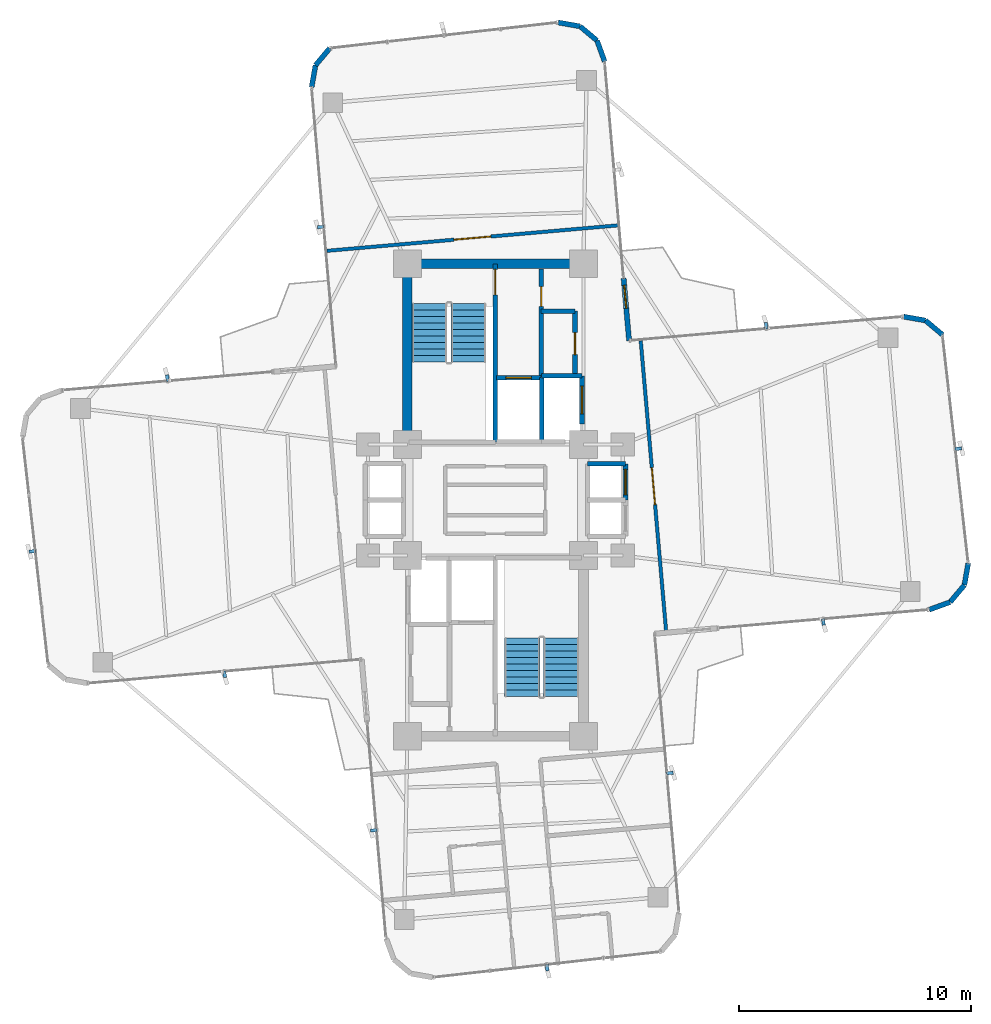
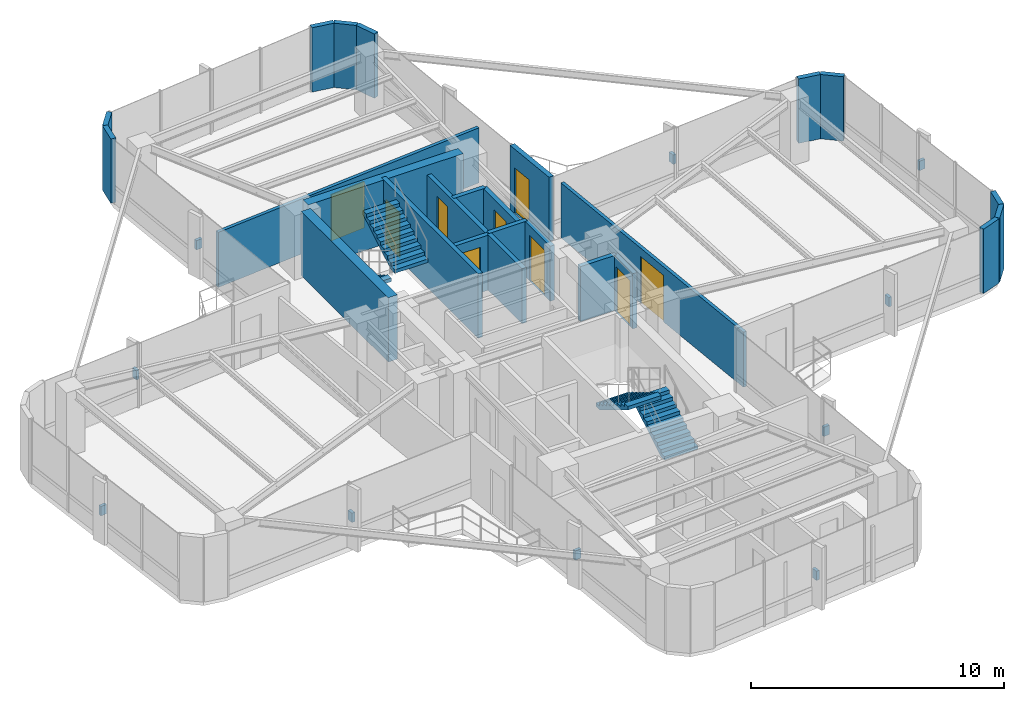
# One storey, part 22 of 24: 25 walls, 10 discrete accessories, 9 doors, 4 stair flights, 9 openings, 2 elements without a shape of their own.
"""IFC4 building model written with IfcOpenShell, lengths in metres."""

from ifc_helpers import new_model, si_unit, direction, frame, frame_2d, origin, origin_2d, place, context, subcontext, project, spatial, polyline, rectangle, outline, extrude, source, transform, mapped, material, layer, layer_set, type_object, element, fill, aggregate, save


model = new_model("IFC4")

# Units and contexts
model_context = context("Model", 3, precision=1e-05, world=origin(), true_north=direction((0.0, 1.0)))
body_context = subcontext(model_context, "Body", "Model", "MODEL_VIEW")
ifc_project = project(units=[si_unit("LENGTHUNIT", "METRE"), si_unit("AREAUNIT", "SQUARE_METRE"), si_unit("VOLUMEUNIT", "CUBIC_METRE"), si_unit("PLANEANGLEUNIT", "RADIAN"), si_unit("MASSUNIT", "GRAM", prefix="KILO")], contexts=[model_context])

# Site, building, storey
site_placement = place(None, origin())
site = spatial("IfcSite", under=ifc_project, at=site_placement, CompositionType="ELEMENT")
building_placement = place(site_placement, origin())
building = spatial("IfcBuilding", under=site, at=building_placement, Name="Sahyath Konkavel Grand Hotel", CompositionType="ELEMENT")
storey_placement = place(building_placement, frame((0.0, 0.0, 160.64990234375)))
storey = spatial("IfcBuildingStorey", under=building, at=storey_placement, Name="L44", CompositionType="ELEMENT", Elevation=160.64990234375)

# Walls
ifc_material_1 = material(Name="Concrete C50/60", Category="concrete")
ifc_layer_1 = layer(ifc_material_1, 0.419921875)
ifc_layer_set_1 = layer_set([ifc_layer_1], Name="Concrete C50/60")
wall_type_1 = type_object("IfcWallType", Name="CWALL-420", PredefinedType="SHEAR", material=ifc_layer_set_1)
wall_1_placement = place(storey_placement, frame((-3.550048828125, 10.199951171875, 0.0), z_axis=(0.0, 0.0, 1.0), x_axis=(1.0, 0.0, 0.0)))
element("IfcWall", 1, at=wall_1_placement, inside=storey, type_object=wall_type_1, Name="L44 North Core Shear Wall N", PredefinedType="SHEAR", context=body_context, shape_type="SweptSolid", body=[
    extrude(rectangle(XDim=7.10009765625, YDim=0.419921875, at=frame_2d((3.550048828125, 0.0))), origin(), (0.0, 0.0, 1.0), 3.110107421875),
])
wall_2_placement = place(storey_placement, frame((-3.800048828125, 2.85009765625, 0.0), z_axis=(0.0, 0.0, 1.0), x_axis=(0.0, 1.0, 0.0)))
element("IfcWall", 2, at=wall_2_placement, inside=storey, type_object=wall_type_1, Name="L44 North Core Shear Wall W", PredefinedType="SHEAR", context=body_context, shape_type="SweptSolid", body=[
    extrude(rectangle(XDim=6.89990234375, YDim=0.419921875, at=frame_2d((3.449951171875, 0.0))), origin(), (0.0, 0.0, 1.0), 3.110107421875),
])
ifc_material_2 = material(Name="Warm Buff Sandstone Insulated Concrete C40/50", Category="masonry")
ifc_layer_2 = layer(ifc_material_2, 0.219970703125)
ifc_layer_set_2 = layer_set([ifc_layer_2], Name="Warm Buff Sandstone Insulated Concrete C40/50")
wall_type_2 = type_object("IfcWallType", Name="WLL-BALC-THRESH", PredefinedType="STANDARD", material=ifc_layer_set_2)
wall_3_placement = place(storey_placement, frame((18.73388671875, -4.735107421875, 0.0), z_axis=(0.0, 0.0, 1.0), x_axis=(0.939741306239, 0.34188635151, 0.0)))
element("IfcWall", 3, at=wall_3_placement, inside=storey, type_object=wall_type_2, Name="L44 Rounded Corner Sandstone Pier 1", PredefinedType="STANDARD", context=body_context, shape_type="SweptSolid", body=[
    extrude(rectangle(XDim=0.95751953125, YDim=0.219970703125, at=frame_2d((0.478759765625, 0.0))), origin(), (0.0, 0.0, 1.0), 3.110107421875),
])
for number, where, z_axis, x_axis, name in (
    (4, (19.6337890625, -4.40771484375, 0.0), (0.0, 0.0, 1.0), (0.642863236823, 0.765980978054, 0.0), "L44 Rounded Corner Sandstone Pier 2"),
    (5, (20.24951171875, -3.674072265625, 0.0), (0.0, 0.0, 1.0), (0.173610811841, 0.984814340885, 0.0), "L44 Rounded Corner Sandstone Pier 3"),
):
    element("IfcWall", number, at=place(storey_placement, frame(where, z_axis=z_axis, x_axis=x_axis)), inside=storey, type_object=wall_type_2, Name=name, PredefinedType="STANDARD", context=body_context, shape_type="SweptSolid", body=[
        extrude(rectangle(XDim=0.957763671875, YDim=0.219970703125, at=frame_2d((0.47900390625, 0.0))), origin(), (0.0, 0.0, 1.0), 3.110107421875),
    ])
wall_4_placement = place(storey_placement, frame((19.3037109375, 7.134521484375, 0.0), z_axis=(0.0, 0.0, 1.0), x_axis=(-0.766001159887, 0.642839189107, 0.0)))
element("IfcWall", 6, at=wall_4_placement, inside=storey, type_object=wall_type_2, Name="L44 Rounded Corner Sandstone Pier 5", PredefinedType="STANDARD", context=body_context, shape_type="SweptSolid", body=[
    extrude(rectangle(XDim=0.95751953125, YDim=0.219970703125, at=frame_2d((0.478759765625, 0.0))), origin(), (0.0, 0.0, 1.0), 3.110107421875),
])
wall_5_placement = place(storey_placement, frame((18.5703125, 7.75, 0.0), z_axis=(0.0, 0.0, 1.0), x_axis=(-0.984770724397, 0.173858046606, 0.0)))
element("IfcWall", 7, at=wall_5_placement, inside=storey, type_object=wall_type_2, Name="L44 Rounded Corner Sandstone Pier 6", PredefinedType="STANDARD", context=body_context, shape_type="SweptSolid", body=[
    extrude(rectangle(XDim=0.957763671875, YDim=0.219970703125, at=frame_2d((0.47900390625, 0.0))), origin(), (0.0, 0.0, 1.0), 3.110107421875),
])

# Wall, opening, door
wall_6_placement = place(storey_placement, frame((5.7724609375, 6.87939453125, 0.0), z_axis=(0.0, 0.0, 1.0), x_axis=(-0.087168071984, 0.996193619346, 0.0)))
wall_6 = element("IfcWall", 8, at=wall_6_placement, inside=storey, type_object=wall_type_2, Name="L44 Winter-Garden Threshold Wall 8", PredefinedType="STANDARD", context=body_context, shape_type="SweptSolid", body=[
    extrude(rectangle(XDim=2.699951171875, YDim=0.219970703125, at=frame_2d((1.35009765625, 0.0))), origin(), (0.0, 0.0, 1.0), 3.110107421875),
])
opening_1_placement = place(wall_6_placement, frame((1.39990234375, 0.0, 0.0)))
opening_1 = element("IfcOpeningElement", 9, at=opening_1_placement, cuts=wall_6, Name="Opening D-TR1", PredefinedType="OPENING", context=body_context, shape_type="SweptSolid", body=[
    extrude(rectangle(XDim=1.0, YDim=2.199951171875, at=frame_2d((0.5, 1.10009765625))), frame((0.0, 0.1201171875, 0.0), z_axis=(0.0, -1.0, 0.0), x_axis=(1.0, 0.0, 0.0)), (0.0, 0.0, 1.0), 0.239990234375),
])
ifc_material_3 = material(Name="Anodised Bronze Aluminium & Low-E Glazing", Category="aluminium")
door_type_1 = type_object("IfcDoorType", Name="DR-TERRACE-1000", OperationType="NOTDEFINED", PredefinedType="DOOR", material=ifc_material_3)
shared_shape_1 = source(origin(), body_context, "Body", "SweptSolid", [
    extrude(rectangle(XDim=1.0, YDim=0.050048828125, at=origin_2d()), origin(), (0.0, 0.0, 1.0), 2.199951171875),
])
door_1_placement = place(opening_1_placement, frame((0.5, 0.0, 0.0)))
door_1 = element("IfcDoor", 10, at=door_1_placement, inside=storey, type_object=door_type_1, Name="L44 Winter-Garden Terrace Door 8", OperationType="SINGLE_SWING_LEFT", OverallHeight=2.199951171875, OverallWidth=1.0, PredefinedType="DOOR", context=body_context, shape_type="MappedRepresentation", body=[
    mapped(shared_shape_1, transform((0.0, 0.0, 0.0), scale=1.0)),
])
fill(opening_1, door_1)

# Walls
wall_7_placement = place(storey_placement, frame((4.7177734375, 18.93310546875, 0.0), z_axis=(0.0, 0.0, 1.0), x_axis=(-0.34188635151, 0.939741306239, 0.0)))
element("IfcWall", 11, at=wall_7_placement, inside=storey, type_object=wall_type_2, Name="L44 Rounded Corner Sandstone Pier 9", PredefinedType="STANDARD", context=body_context, shape_type="SweptSolid", body=[
    extrude(rectangle(XDim=0.95751953125, YDim=0.219970703125, at=frame_2d((0.478759765625, 0.0))), origin(), (0.0, 0.0, 1.0), 3.110107421875),
])
for number, where, z_axis, x_axis, name in (
    (12, (4.390380859375, 19.8330078125, 0.0), (0.0, 0.0, 1.0), (-0.765980978054, 0.642863236823, 0.0), "L44 Rounded Corner Sandstone Pier 10"),
    (13, (3.65673828125, 20.44873046875, 0.0), (0.0, 0.0, 1.0), (-0.984814340885, 0.173610811841, 0.0), "L44 Rounded Corner Sandstone Pier 11"),
):
    element("IfcWall", number, at=place(storey_placement, frame(where, z_axis=z_axis, x_axis=x_axis)), inside=storey, type_object=wall_type_2, Name=name, PredefinedType="STANDARD", context=body_context, shape_type="SweptSolid", body=[
        extrude(rectangle(XDim=0.957763671875, YDim=0.219970703125, at=frame_2d((0.47900390625, 0.0))), origin(), (0.0, 0.0, 1.0), 3.110107421875),
    ])
for number, where, z_axis, x_axis, name in (
    (14, (-7.152099609375, 19.5029296875, 0.0), (0.0, 0.0, 1.0), (-0.642713642115, -0.766106503196, 0.0), "L44 Rounded Corner Sandstone Pier 13"),
    (15, (-7.767578125, 18.769287109375, 0.0), (0.0, 0.0, 1.0), (-0.173654409999, -0.984806654064, 0.0), "L44 Rounded Corner Sandstone Pier 14"),
):
    element("IfcWall", number, at=place(storey_placement, frame(where, z_axis=z_axis, x_axis=x_axis)), inside=storey, type_object=wall_type_2, Name=name, PredefinedType="STANDARD", context=body_context, shape_type="SweptSolid", body=[
        extrude(rectangle(XDim=0.95751953125, YDim=0.219970703125, at=frame_2d((0.478759765625, 0.0))), origin(), (0.0, 0.0, 1.0), 3.110107421875),
    ])

# Wall, opening, door
ifc_material_4 = material(Name="Concrete C40/50", Category="concrete")
ifc_layer_3 = layer(ifc_material_4, 0.199951171875)
ifc_layer_set_3 = layer_set([ifc_layer_3], Name="Concrete C40/50")
wall_type_3 = type_object("IfcWallType", Name="WLL-CORE-200", PredefinedType="SOLIDWALL", material=ifc_layer_set_3)
wall_8_placement = place(storey_placement, frame((0.0, 2.5, 0.0), z_axis=(0.0, 0.0, 1.0), x_axis=(0.0, 1.0, 0.0)))
wall_8 = element("IfcWall", 16, at=wall_8_placement, inside=storey, type_object=wall_type_3, Name="L44 Stair ST-1 Shaft Wall E", PredefinedType="SOLIDWALL", context=body_context, shape_type="SweptSolid", body=[
    extrude(rectangle(XDim=7.679931640625, YDim=0.199951171875, at=frame_2d((3.83984375, 0.0))), origin(), (0.0, 0.0, 1.0), 3.110107421875),
])
opening_2_placement = place(wall_8_placement, frame((6.360107421875, 0.0, 0.0)))
opening_2 = element("IfcOpeningElement", 17, at=opening_2_placement, cuts=wall_8, Name="Opening D-F12B", PredefinedType="OPENING", context=body_context, shape_type="SweptSolid", body=[
    extrude(rectangle(XDim=1.10009765625, YDim=2.14990234375, at=frame_2d((0.550048828125, 1.074951171875))), frame((0.0, 0.10986328125, 0.0), z_axis=(0.0, -1.0, 0.0), x_axis=(1.0, 0.0, 0.0)), (0.0, 0.0, 1.0), 0.219970703125),
])
ifc_material_5 = material(Name="Steel E350 Smokeproof Fire Door", Category="steel")
door_type_2 = type_object("IfcDoorType", Name="DR-FD120-1100", OperationType="NOTDEFINED", PredefinedType="DOOR", material=ifc_material_5)
shared_shape_2 = source(origin(), body_context, "Body", "SweptSolid", [
    extrude(rectangle(XDim=1.10009765625, YDim=0.050048828125, at=origin_2d()), origin(), (0.0, 0.0, 1.0), 2.14990234375),
])
door_2_placement = place(opening_2_placement, frame((0.550048828125, 0.0, 0.0)))
door_2 = element("IfcDoor", 18, at=door_2_placement, inside=storey, type_object=door_type_2, Name="L44 Stair ST-1 Fire Door", OperationType="SINGLE_SWING_RIGHT", OverallHeight=2.14990234375, OverallWidth=1.10009765625, PredefinedType="DOOR", context=body_context, shape_type="MappedRepresentation", body=[
    mapped(shared_shape_2, transform((0.0, 0.0, 0.0), scale=1.0)),
])
fill(opening_2, door_2)

wall_9_placement = place(storey_placement, frame((1.97998046875, 5.320068359375, 0.0), z_axis=(0.0, 0.0, 1.0), x_axis=(0.0, 1.0, 0.0)))
wall_9 = element("IfcWall", 19, at=wall_9_placement, inside=storey, type_object=wall_type_3, Name="L44 North Firefighting Lobby Wall E", PredefinedType="SOLIDWALL", context=body_context, shape_type="SweptSolid", body=[
    extrude(rectangle(XDim=4.659912109375, YDim=0.199951171875, at=frame_2d((2.330078125, 0.0))), origin(), (0.0, 0.0, 1.0), 2.66015625),
])
opening_3_placement = place(wall_9_placement, frame((3.0400390625, 0.0, 0.0)))
opening_3 = element("IfcOpeningElement", 20, at=opening_3_placement, cuts=wall_9, Name="Opening D-F12D", PredefinedType="OPENING", context=body_context, shape_type="SweptSolid", body=[
    extrude(rectangle(XDim=0.85009765625, YDim=2.10009765625, at=frame_2d((0.425048828125, 1.050048828125))), frame((0.0, 0.10986328125, 0.0), z_axis=(0.0, -1.0, 0.0), x_axis=(1.0, 0.0, 0.0)), (0.0, 0.0, 1.0), 0.219970703125),
])
ifc_material_6 = material(Name="Steel E350 Core Fire Door", Category="steel")
door_type_3 = type_object("IfcDoorType", Name="DR-FD120-850", OperationType="NOTDEFINED", PredefinedType="DOOR", material=ifc_material_6)
shared_shape_3 = source(origin(), body_context, "Body", "SweptSolid", [
    extrude(rectangle(XDim=0.85009765625, YDim=0.050048828125, at=origin_2d()), origin(), (0.0, 0.0, 1.0), 2.10009765625),
])
door_3_placement = place(opening_3_placement, frame((0.425048828125, 0.0, 0.0)))
door_3 = element("IfcDoor", 21, at=door_3_placement, inside=storey, type_object=door_type_3, Name="L44 North Firefighting Lobby Door", OperationType="SINGLE_SWING_RIGHT", OverallHeight=2.10009765625, OverallWidth=0.85009765625, PredefinedType="DOOR", context=body_context, shape_type="MappedRepresentation", body=[
    mapped(shared_shape_3, transform((0.0, 0.0, 0.0), scale=1.0)),
])
fill(opening_3, door_3)

# Wall
wall_10_placement = place(storey_placement, frame((2.0, 2.5, 0.0), z_axis=(0.0, 0.0, 1.0), x_axis=(0.0, 1.0, 0.0)))
element("IfcWall", 22, at=wall_10_placement, inside=storey, type_object=wall_type_3, Name="L44 Partition SH-FFL1-E", PredefinedType="SOLIDWALL", context=body_context, shape_type="SweptSolid", body=[
    extrude(rectangle(XDim=2.780029296875, YDim=0.199951171875, at=frame_2d((1.39013671875, 0.0))), origin(), (0.0, 0.0, 1.0), 2.66015625),
])

# Wall, opening, door
wall_11_placement = place(storey_placement, frame((0.050048828125, 5.280029296875, 0.0), z_axis=(0.0, 0.0, 1.0), x_axis=(1.0, 0.0, 0.0)))
wall_11 = element("IfcWall", 23, at=wall_11_placement, inside=storey, type_object=wall_type_3, Name="L44 Partition SH-FFL1-N", PredefinedType="SOLIDWALL", context=body_context, shape_type="SweptSolid", body=[
    extrude(rectangle(XDim=1.929931640625, YDim=0.199951171875, at=frame_2d((0.96484375, 0.0))), origin(), (0.0, 0.0, 1.0), 2.66015625),
])
opening_4_placement = place(wall_11_placement, frame((0.39990234375, 0.0, 0.0)))
opening_4 = element("IfcOpeningElement", 24, at=opening_4_placement, cuts=wall_11, Name="Opening LD-11", PredefinedType="OPENING", context=body_context, shape_type="SweptSolid", body=[
    extrude(rectangle(XDim=1.10009765625, YDim=2.199951171875, at=frame_2d((0.550048828125, 1.10009765625))), frame((0.0, 0.10986328125, 0.0), z_axis=(0.0, -1.0, 0.0), x_axis=(1.0, 0.0, 0.0)), (0.0, 0.0, 1.0), 0.219970703125),
])
ifc_material_7 = material(Name="Bronze Lift Landing Door 1100")
door_type_4 = type_object("IfcDoorType", Name="DR-LIFT-1100", OperationType="DOUBLE_DOOR_SLIDING", PredefinedType="DOOR", material=ifc_material_7)
shared_shape_4 = source(origin(), body_context, "Body", "SweptSolid", [
    extrude(rectangle(XDim=1.10009765625, YDim=0.050048828125, at=origin_2d()), origin(), (0.0, 0.0, 1.0), 2.199951171875),
])
door_4_placement = place(opening_4_placement, frame((0.550048828125, 0.0, 0.0)))
door_4 = element("IfcDoor", 25, at=door_4_placement, inside=storey, type_object=door_type_4, Name="L44 Lift FFL-1 Landing Door", OperationType="DOUBLE_DOOR_SLIDING", OverallHeight=2.199951171875, OverallWidth=1.10009765625, PredefinedType="DOOR", context=body_context, shape_type="MappedRepresentation", body=[
    mapped(shared_shape_4, transform((0.0, 0.0, 0.0), scale=1.0)),
])
fill(opening_4, door_4)

# Wall
wall_12_placement = place(storey_placement, frame((2.0, 5.360107421875, 0.0), z_axis=(0.0, 0.0, 1.0), x_axis=(1.0, 0.0, 0.0)))
element("IfcWall", 26, at=wall_12_placement, inside=storey, type_object=wall_type_3, Name="L44 Partition SH-SVL1-N", PredefinedType="SOLIDWALL", context=body_context, shape_type="SweptSolid", body=[
    extrude(rectangle(XDim=1.739990234375, YDim=0.199951171875, at=frame_2d((0.8701171875, 0.0))), origin(), (0.0, 0.0, 1.0), 2.66015625),
])

# Wall, opening, door
wall_13_placement = place(storey_placement, frame((3.739990234375, 3.280029296875, 0.0), z_axis=(0.0, 0.0, 1.0), x_axis=(0.0, 1.0, 0.0)))
wall_13 = element("IfcWall", 27, at=wall_13_placement, inside=storey, type_object=wall_type_3, Name="L44 Partition SH-SVL1-E", PredefinedType="SOLIDWALL", context=body_context, shape_type="SweptSolid", body=[
    extrude(rectangle(XDim=2.080078125, YDim=0.199951171875, at=frame_2d((1.0400390625, 0.0))), origin(), (0.0, 0.0, 1.0), 2.66015625),
])
opening_5_placement = place(wall_13_placement, frame((0.43994140625, 0.0, 0.0)))
opening_5 = element("IfcOpeningElement", 28, at=opening_5_placement, cuts=wall_13, Name="Opening LD-12", PredefinedType="OPENING", context=body_context, shape_type="SweptSolid", body=[
    extrude(rectangle(XDim=1.199951171875, YDim=2.199951171875, at=frame_2d((0.60009765625, 1.10009765625))), frame((0.0, 0.10986328125, 0.0), z_axis=(0.0, -1.0, 0.0), x_axis=(1.0, 0.0, 0.0)), (0.0, 0.0, 1.0), 0.219970703125),
])
ifc_material_8 = material(Name="Stainless Steel Lift Landing Door 1200", Category="steel")
door_type_5 = type_object("IfcDoorType", Name="DR-LIFT-1200", OperationType="DOUBLE_DOOR_SLIDING", PredefinedType="DOOR", material=ifc_material_8)
shared_shape_5 = source(origin(), body_context, "Body", "SweptSolid", [
    extrude(rectangle(XDim=1.199951171875, YDim=0.050048828125, at=origin_2d()), origin(), (0.0, 0.0, 1.0), 2.199951171875),
])
door_5_placement = place(opening_5_placement, frame((0.60009765625, 0.0, 0.0)))
door_5 = element("IfcDoor", 29, at=door_5_placement, inside=storey, type_object=door_type_5, Name="L44 Service Lift SVL-1 Landing Door", OperationType="DOUBLE_DOOR_SLIDING", OverallHeight=2.199951171875, OverallWidth=1.199951171875, PredefinedType="DOOR", context=body_context, shape_type="MappedRepresentation", body=[
    mapped(shared_shape_5, transform((0.0, 0.0, 0.0), scale=1.0)),
])
fill(opening_5, door_5)

# Wall
wall_14_placement = place(storey_placement, frame((3.97998046875, 1.56005859375, 0.0), z_axis=(0.0, 0.0, 1.0), x_axis=(1.0, 0.0, 0.0)))
element("IfcWall", 30, at=wall_14_placement, inside=storey, type_object=wall_type_3, Name="L44 Partition SH-PL56-N", PredefinedType="SOLIDWALL", context=body_context, shape_type="SweptSolid", body=[
    extrude(rectangle(XDim=1.64013671875, YDim=0.199951171875, at=frame_2d((0.820068359375, 0.0))), origin(), (0.0, 0.0, 1.0), 2.66015625),
])

# Wall, opening, door
wall_15_placement = place(storey_placement, frame((5.6201171875, 0.0, 0.0), z_axis=(0.0, 0.0, 1.0), x_axis=(0.0, 1.0, 0.0)))
wall_15 = element("IfcWall", 31, at=wall_15_placement, inside=storey, type_object=wall_type_3, Name="L44 Partition SH-PL5-E", PredefinedType="SOLIDWALL", context=body_context, shape_type="SweptSolid", body=[
    extrude(rectangle(XDim=1.56005859375, YDim=0.199951171875, at=frame_2d((0.780029296875, 0.0))), origin(), (0.0, 0.0, 1.0), 2.66015625),
])
opening_6_placement = place(wall_15_placement, frame((0.219970703125, 0.0, 0.0)))
opening_6 = element("IfcOpeningElement", 32, at=opening_6_placement, cuts=wall_15, Name="Opening LD-11", PredefinedType="OPENING", context=body_context, shape_type="SweptSolid", body=[
    extrude(rectangle(XDim=1.10009765625, YDim=2.199951171875, at=frame_2d((0.550048828125, 1.10009765625))), frame((0.0, 0.10986328125, 0.0), z_axis=(0.0, -1.0, 0.0), x_axis=(1.0, 0.0, 0.0)), (0.0, 0.0, 1.0), 0.219970703125),
])
door_6_placement = place(opening_6_placement, frame((0.550048828125, 0.0, 0.0)))
door_6 = element("IfcDoor", 33, at=door_6_placement, inside=storey, type_object=door_type_4, Name="L44 High-Rise Lift PL-5 Landing Door", OperationType="DOUBLE_DOOR_SLIDING", OverallHeight=2.199951171875, OverallWidth=1.10009765625, PredefinedType="DOOR", context=body_context, shape_type="MappedRepresentation", body=[
    mapped(shared_shape_4, transform((0.0, 0.0, 0.0), scale=1.0)),
])
fill(opening_6, door_6)

wall_16_placement = place(storey_placement, frame((3.43994140625, 5.3798828125, 0.0), z_axis=(0.0, 0.0, 1.0), x_axis=(0.0, 1.0, 0.0)))
wall_16 = element("IfcWall", 34, at=wall_16_placement, inside=storey, type_object=wall_type_3, Name="L44 Reclaimed North Core Wall E", PredefinedType="SOLIDWALL", context=body_context, shape_type="SweptSolid", body=[
    extrude(rectangle(XDim=2.77001953125, YDim=0.199951171875, at=frame_2d((1.385009765625, 0.0))), origin(), (0.0, 0.0, 1.0), 2.66015625),
])
opening_7_placement = place(wall_16_placement, frame((0.89990234375, 0.0, 0.0)))
opening_7 = element("IfcOpeningElement", 35, at=opening_7_placement, cuts=wall_16, Name="Opening D-F06B", PredefinedType="OPENING", context=body_context, shape_type="SweptSolid", body=[
    extrude(rectangle(XDim=0.949951171875, YDim=2.14990234375, at=frame_2d((0.47509765625, 1.074951171875))), frame((0.0, 0.10986328125, 0.0), z_axis=(0.0, -1.0, 0.0), x_axis=(1.0, 0.0, 0.0)), (0.0, 0.0, 1.0), 0.219970703125),
])
ifc_material_9 = material(Name="Teak Veneer Fire-Rated Guest Entrance Door")
door_type_6 = type_object("IfcDoorType", Name="DR-FD60-950", OperationType="NOTDEFINED", PredefinedType="DOOR", material=ifc_material_9)
shared_shape_6 = source(origin(), body_context, "Body", "SweptSolid", [
    extrude(rectangle(XDim=0.949951171875, YDim=0.050048828125, at=origin_2d()), origin(), (0.0, 0.0, 1.0), 2.14990234375),
])
door_7_placement = place(opening_7_placement, frame((0.47509765625, 0.0, 0.0)))
door_7 = element("IfcDoor", 36, at=door_7_placement, inside=storey, type_object=door_type_6, Name="L44 Door NC-REC1-D", OperationType="SINGLE_SWING_RIGHT", OverallHeight=2.14990234375, OverallWidth=0.949951171875, PredefinedType="DOOR", context=body_context, shape_type="MappedRepresentation", body=[
    mapped(shared_shape_6, transform((0.0, 0.0, 0.0), scale=1.0)),
])
fill(opening_7, door_7)

# Wall
wall_17_placement = place(storey_placement, frame((1.97998046875, 8.14990234375, 0.0), z_axis=(0.0, 0.0, 1.0), x_axis=(1.0, 0.0, 0.0)))
element("IfcWall", 37, at=wall_17_placement, inside=storey, type_object=wall_type_3, Name="L44 Partition NC-REC-N", PredefinedType="SOLIDWALL", context=body_context, shape_type="SweptSolid", body=[
    extrude(rectangle(XDim=1.4599609375, YDim=0.199951171875, at=frame_2d((0.72998046875, 0.0))), origin(), (0.0, 0.0, 1.0), 2.66015625),
])

# Wall, opening, door
ifc_material_10 = material(Name="Fire-Rated Gypsum Plasterboard Partition")
ifc_layer_4 = layer(ifc_material_10, 0.14990234375)
ifc_layer_set_4 = layer_set([ifc_layer_4], Name="Fire-Rated Gypsum Plasterboard Partition")
wall_type_4 = type_object("IfcWallType", Name="WLL-PART-150", PredefinedType="PARTITIONING", material=ifc_layer_set_4)
wall_18_placement = place(storey_placement, frame((7.373046875, -5.678955078125, 0.0), z_axis=(0.0, 0.0, 1.0), x_axis=(-0.087154691724, 0.996194790044, 0.0)))
wall_18 = element("IfcWall", 38, at=wall_18_placement, inside=storey, type_object=wall_type_4, Name="L44 Partition E-SAL-IN", PredefinedType="PARTITIONING", context=body_context, shape_type="SweptSolid", body=[
    extrude(rectangle(XDim=12.599853515625, YDim=0.14990234375, at=frame_2d((6.2998046875, 0.0))), origin(), (0.0, 0.0, 1.0), 2.66015625),
])
opening_8_placement = place(wall_18_placement, frame((5.5, 0.0, 0.0)))
opening_8 = element("IfcOpeningElement", 39, at=opening_8_placement, cuts=wall_18, Name="Opening D-DB16", PredefinedType="OPENING", context=body_context, shape_type="SweptSolid", body=[
    extrude(rectangle(XDim=1.60009765625, YDim=2.25, at=frame_2d((0.800048828125, 1.125))), frame((0.0, 0.0849609375, 0.0), z_axis=(0.0, -1.0, 0.0), x_axis=(1.0, 0.0, 0.0)), (0.0, 0.0, 1.0), 0.169921875),
])
ifc_material_11 = material(Name="Double Leaf Lounge Glazed Timber Door", Category="wood")
door_type_7 = type_object("IfcDoorType", Name="DR-DBL-1600", OperationType="DOUBLE_DOOR_SINGLE_SWING", PredefinedType="DOOR", material=ifc_material_11)
shared_shape_7 = source(origin(), body_context, "Body", "SweptSolid", [
    extrude(rectangle(XDim=1.60009765625, YDim=0.050048828125, at=origin_2d()), origin(), (0.0, 0.0, 1.0), 2.25),
])
door_8_placement = place(opening_8_placement, frame((0.800048828125, 0.0, 0.0)))
door_8 = element("IfcDoor", 40, at=door_8_placement, inside=storey, type_object=door_type_7, Name="L44 Door E-SAL-D", OperationType="DOUBLE_DOOR_SINGLE_SWING", OverallHeight=2.25, OverallWidth=1.60009765625, PredefinedType="DOOR", context=body_context, shape_type="MappedRepresentation", body=[
    mapped(shared_shape_7, transform((0.0, 0.0, 0.0), scale=1.0)),
])
fill(opening_8, door_8)

wall_19_placement = place(storey_placement, frame((5.286865234375, 11.85595703125, 0.0), z_axis=(0.0, 0.0, 1.0), x_axis=(-0.996194790044, -0.087154691724, 0.0)))
wall_19 = element("IfcWall", 41, at=wall_19_placement, inside=storey, type_object=wall_type_4, Name="L44 Partition N-SAL-IN", PredefinedType="PARTITIONING", context=body_context, shape_type="SweptSolid", body=[
    extrude(rectangle(XDim=12.599853515625, YDim=0.14990234375, at=frame_2d((6.2998046875, 0.0))), origin(), (0.0, 0.0, 1.0), 2.66015625),
])
opening_9_placement = place(wall_19_placement, frame((5.5, 0.0, 0.0)))
opening_9 = element("IfcOpeningElement", 42, at=opening_9_placement, cuts=wall_19, Name="Opening D-DB16", PredefinedType="OPENING", context=body_context, shape_type="SweptSolid", body=[
    extrude(rectangle(XDim=1.60009765625, YDim=2.25, at=frame_2d((0.800048828125, 1.125))), frame((0.0, 0.0849609375, 0.0), z_axis=(0.0, -1.0, 0.0), x_axis=(1.0, 0.0, 0.0)), (0.0, 0.0, 1.0), 0.169921875),
])
door_9_placement = place(opening_9_placement, frame((0.800048828125, 0.0, 0.0)))
door_9 = element("IfcDoor", 43, at=door_9_placement, inside=storey, type_object=door_type_7, Name="L44 Door N-SAL-D", OperationType="DOUBLE_DOOR_SINGLE_SWING", OverallHeight=2.25, OverallWidth=1.60009765625, PredefinedType="DOOR", context=body_context, shape_type="MappedRepresentation", body=[
    mapped(shared_shape_7, transform((0.0, 0.0, 0.0), scale=1.0)),
])
fill(opening_9, door_9)

# Stair, stair flights
stair_type = type_object("IfcStairType", Name="STR-ST16-335", PredefinedType="HALF_TURN_STAIR", material=ifc_material_4)
stair_1_placement = place(storey_placement, origin())
stair_1 = element("IfcStair", 44, at=stair_1_placement, inside=storey, type_object=stair_type, Name="L44 North Core Smokeproof Exit Stair ST-1", PredefinedType="HALF_TURN_STAIR")
stair_flight_type = type_object("IfcStairFlightType", Name="STF-ST16-335", PredefinedType="STRAIGHT", material=ifc_material_4)
stair_flight_1_placement = place(storey_placement, frame((-2.840087890625, 8.47998046875, 0.0), z_axis=(0.0, 0.0, 1.0), x_axis=(0.0, -1.0, 0.0)))
stair_flight_1 = element("IfcStairFlight", 45, at=stair_flight_1_placement, type_object=stair_flight_type, Name="ST-1 flight 1", NumberOfRisers=10, NumberOfTreads=9, PredefinedType="STRAIGHT", RiserHeight=0.1675, TreadLength=0.28, context=body_context, shape_type="SweptSolid", body=[
    extrude(outline(polyline([(0.0, 0.0), (0.0, 0.16748046875), (0.280029296875, 0.16748046875), (0.280029296875, 0.3349609375), (0.56005859375, 0.3349609375), (0.56005859375, 0.50244140625), (0.840087890625, 0.50244140625), (0.840087890625, 0.669921875), (1.1201171875, 0.669921875), (1.1201171875, 0.83740234375), (1.39990234375, 0.83740234375), (1.39990234375, 1.0048828125), (1.679931640625, 1.0048828125), (1.679931640625, 1.172607421875), (1.9599609375, 1.172607421875), (1.9599609375, 1.340087890625), (2.239990234375, 1.340087890625), (2.239990234375, 1.507568359375), (2.52001953125, 1.507568359375), (2.52001953125, 1.675048828125), (2.52001953125, 1.332763671875), (0.2919921875, 0.0), (0.0, 0.0)])), frame((0.0, 0.760009765625, 0.0), z_axis=(0.0, -1.0, 0.0), x_axis=(1.0, 0.0, 0.0)), (0.0, 0.0, 1.0), 1.52001953125),
])
stair_flight_2_placement = place(storey_placement, frame((-1.159912109375, 5.9599609375, 1.675048828125), z_axis=(0.0, 0.0, 1.0), x_axis=(0.0, 1.0, 0.0)))
stair_flight_2 = element("IfcStairFlight", 46, at=stair_flight_2_placement, type_object=stair_flight_type, Name="ST-1 flight 2", NumberOfRisers=10, NumberOfTreads=9, PredefinedType="STRAIGHT", RiserHeight=0.1675, TreadLength=0.28, context=body_context, shape_type="SweptSolid", body=[
    extrude(outline(polyline([(0.0, 0.0), (0.0, 0.16748046875), (0.280029296875, 0.16748046875), (0.280029296875, 0.3349609375), (0.56005859375, 0.3349609375), (0.56005859375, 0.50244140625), (0.840087890625, 0.50244140625), (0.840087890625, 0.669921875), (1.1201171875, 0.669921875), (1.1201171875, 0.83740234375), (1.39990234375, 0.83740234375), (1.39990234375, 1.0048828125), (1.679931640625, 1.0048828125), (1.679931640625, 1.172607421875), (1.9599609375, 1.172607421875), (1.9599609375, 1.340087890625), (2.239990234375, 1.340087890625), (2.239990234375, 1.507568359375), (2.52001953125, 1.507568359375), (2.52001953125, 1.675048828125), (2.52001953125, 1.332763671875), (0.2919921875, 0.0), (0.0, 0.0)])), frame((0.0, 0.760009765625, 0.0), z_axis=(0.0, -1.0, 0.0), x_axis=(1.0, 0.0, 0.0)), (0.0, 0.0, 1.0), 1.52001953125),
])
aggregate(stair_1, [stair_flight_1, stair_flight_2])

stair_2_placement = place(storey_placement, origin())
stair_2 = element("IfcStair", 47, at=stair_2_placement, inside=storey, type_object=stair_type, Name="L44 South Core Smokeproof Exit Stair ST-2", PredefinedType="HALF_TURN_STAIR")
stair_flight_3_placement = place(storey_placement, frame((2.840087890625, -8.47998046875, 0.0), z_axis=(0.0, 0.0, 1.0), x_axis=(0.0, 1.0, 0.0)))
stair_flight_3 = element("IfcStairFlight", 48, at=stair_flight_3_placement, type_object=stair_flight_type, Name="ST-2 flight 1", NumberOfRisers=10, NumberOfTreads=9, PredefinedType="STRAIGHT", RiserHeight=0.1675, TreadLength=0.28, context=body_context, shape_type="SweptSolid", body=[
    extrude(outline(polyline([(0.0, 0.0), (0.0, 0.16748046875), (0.280029296875, 0.16748046875), (0.280029296875, 0.3349609375), (0.56005859375, 0.3349609375), (0.56005859375, 0.50244140625), (0.840087890625, 0.50244140625), (0.840087890625, 0.669921875), (1.1201171875, 0.669921875), (1.1201171875, 0.83740234375), (1.39990234375, 0.83740234375), (1.39990234375, 1.0048828125), (1.679931640625, 1.0048828125), (1.679931640625, 1.172607421875), (1.9599609375, 1.172607421875), (1.9599609375, 1.340087890625), (2.239990234375, 1.340087890625), (2.239990234375, 1.507568359375), (2.52001953125, 1.507568359375), (2.52001953125, 1.675048828125), (2.52001953125, 1.332763671875), (0.2919921875, 0.0), (0.0, 0.0)])), frame((0.0, 0.760009765625, 0.0), z_axis=(0.0, -1.0, 0.0), x_axis=(1.0, 0.0, 0.0)), (0.0, 0.0, 1.0), 1.52001953125),
])
stair_flight_4_placement = place(storey_placement, frame((1.159912109375, -5.9599609375, 1.675048828125), z_axis=(0.0, 0.0, 1.0), x_axis=(0.0, -1.0, 0.0)))
stair_flight_4 = element("IfcStairFlight", 49, at=stair_flight_4_placement, type_object=stair_flight_type, Name="ST-2 flight 2", NumberOfRisers=10, NumberOfTreads=9, PredefinedType="STRAIGHT", RiserHeight=0.1675, TreadLength=0.28, context=body_context, shape_type="SweptSolid", body=[
    extrude(outline(polyline([(0.0, 0.0), (0.0, 0.16748046875), (0.280029296875, 0.16748046875), (0.280029296875, 0.3349609375), (0.56005859375, 0.3349609375), (0.56005859375, 0.50244140625), (0.840087890625, 0.50244140625), (0.840087890625, 0.669921875), (1.1201171875, 0.669921875), (1.1201171875, 0.83740234375), (1.39990234375, 0.83740234375), (1.39990234375, 1.0048828125), (1.679931640625, 1.0048828125), (1.679931640625, 1.172607421875), (1.9599609375, 1.172607421875), (1.9599609375, 1.340087890625), (2.239990234375, 1.340087890625), (2.239990234375, 1.507568359375), (2.52001953125, 1.507568359375), (2.52001953125, 1.675048828125), (2.52001953125, 1.332763671875), (0.2919921875, 0.0), (0.0, 0.0)])), frame((0.0, 0.760009765625, 0.0), z_axis=(0.0, -1.0, 0.0), x_axis=(1.0, 0.0, 0.0)), (0.0, 0.0, 1.0), 1.52001953125),
])
aggregate(stair_2, [stair_flight_3, stair_flight_4])

# Discrete accessories
ifc_material_12 = material(Name="Steel E350", Category="steel")
discrete_accessory_type = type_object("IfcDiscreteAccessoryType", Name="ACC-FIN-BRACKET", PredefinedType="BRACKET", material=ifc_material_12)
shared_shape_8 = source(origin(), body_context, "Body", "SweptSolid", [
    extrude(rectangle(XDim=0.280029296875, YDim=0.139892578125, at=origin_2d()), origin(), (0.0, 0.0, 1.0), 0.449951171875),
])
for number, where, z_axis, x_axis, name in (
    (50, (14.162841796875, -5.265625, 1.330078125), (0.0, 0.0, 1.0), (0.087155742748, -0.996194698092, 0.0), "L44 Fin Support Bracket F0-1"),
    (51, (19.989013671875, 2.21630859375, 1.330078125), (0.0, 0.0, 1.0), (0.993709417943, 0.111989252568, 0.0), "L44 Fin Support Bracket F4-2"),
    (52, (11.6884765625, 7.52734375, 1.330078125), (0.0, 0.0, 1.0), (-0.087155742748, 0.996194698092, 0.0), "L44 Fin Support Bracket F7-1"),
    (53, (-7.5361328125, 11.7880859375, 1.330078125), (0.0, 0.0, 1.0), (-0.996194698092, -0.087155742748, 0.0), "L44 Fin Support Bracket F15-1"),
    (54, (-14.162841796875, 5.265625, 1.330078125), (0.0, 0.0, 1.0), (-0.087155742748, 0.996194698092, 0.0), "L44 Fin Support Bracket F16-1"),
    (55, (-19.989013671875, -2.21630859375, 1.330078125), (0.0, 0.0, 1.0), (-0.993709417943, -0.111989252568, 0.0), "L44 Fin Support Bracket F20-2"),
    (56, (-11.6884765625, -7.52734375, 1.330078125), (0.0, 0.0, 1.0), (0.087155742748, -0.996194698092, 0.0), "L44 Fin Support Bracket F23-1"),
    (57, (-5.2568359375, -14.262451171875, 1.330078125), (0.0, 0.0, 1.0), (-0.996194698092, -0.087155742748, 0.0), "L44 Fin Support Bracket F24-1"),
    (58, (2.23388671875, -20.188232421875, 1.330078125), (0.0, 0.0, 1.0), (0.112006596052, -0.993707463211, 0.0), "L44 Fin Support Bracket F28-2"),
    (59, (7.5361328125, -11.7880859375, 1.330078125), (0.0, 0.0, 1.0), (0.996194698092, 0.087155742748, 0.0), "L44 Fin Support Bracket F31-1"),
):
    element("IfcDiscreteAccessory", number, at=place(storey_placement, frame(where, z_axis=z_axis, x_axis=x_axis)), inside=storey, type_object=discrete_accessory_type, Name=name, PredefinedType="BRACKET", context=body_context, shape_type="MappedRepresentation", body=[
        mapped(shared_shape_8, transform((0.0, 0.0, 0.0), scale=1.0)),
    ])

save(model, "model.ifc")
